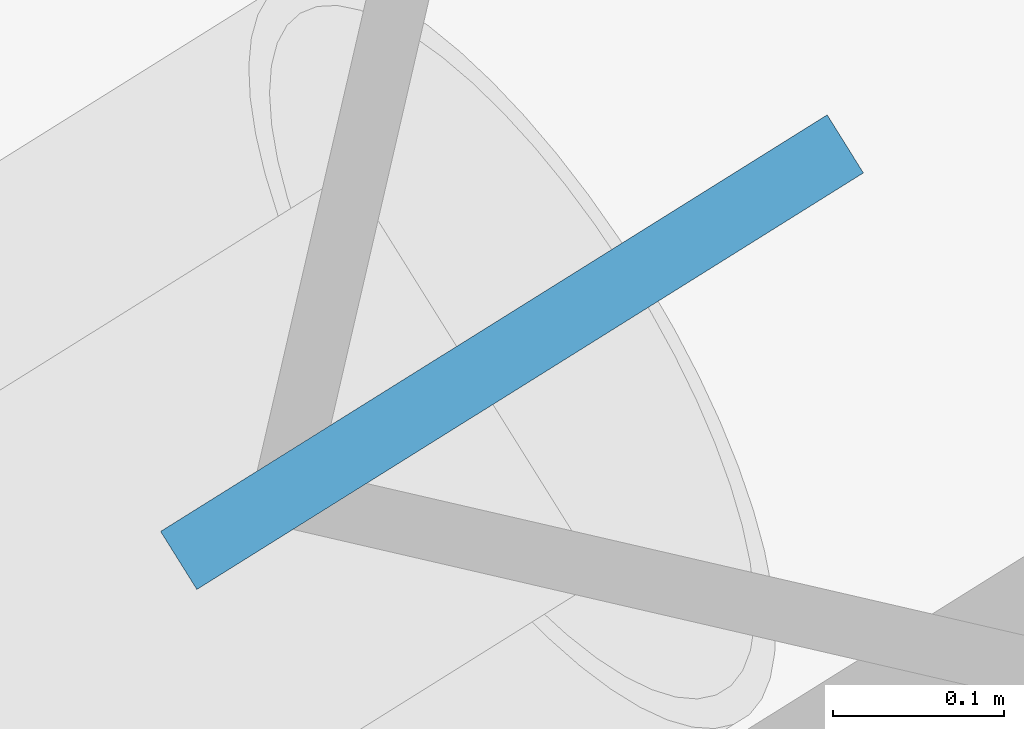
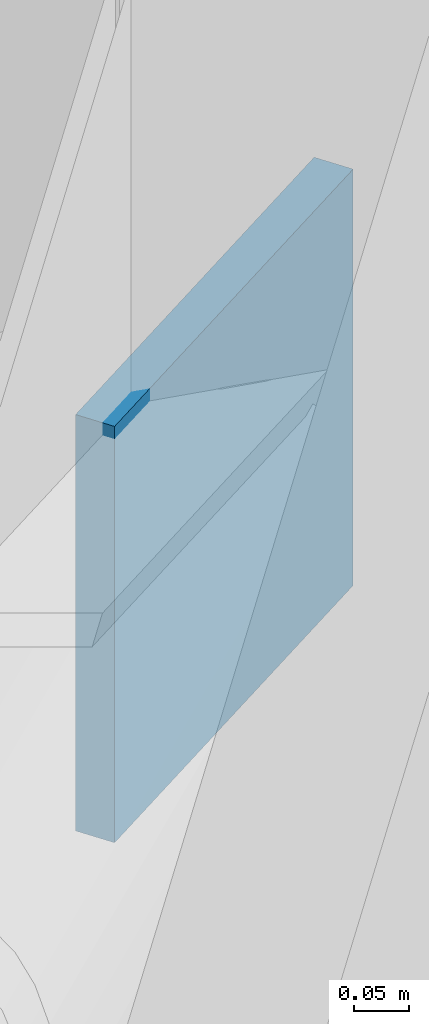
# One storey, part 15 of 18: 1 discrete accessory.
"""IFC4 building model written with IfcOpenShell, lengths in metres."""

from ifc_helpers import new_model, si_unit, direction, frame, origin, origin_2d, place, context, subcontext, project, spatial, rectangle, extrude, material, type_object, element, save


model = new_model("IFC4")

# Units and contexts
model_context = context("Model", 3, precision=1e-05, world=origin(), true_north=direction((0.0, 1.0)))
body_context = subcontext(model_context, "Body", "Model", "MODEL_VIEW")
ifc_project = project(units=[si_unit("LENGTHUNIT", "METRE"), si_unit("AREAUNIT", "SQUARE_METRE"), si_unit("VOLUMEUNIT", "CUBIC_METRE"), si_unit("PLANEANGLEUNIT", "RADIAN"), si_unit("MASSUNIT", "GRAM", prefix="KILO")], contexts=[model_context])

# Site, building, storey
site_placement = place(None, origin())
site = spatial("IfcSite", under=ifc_project, at=site_placement, CompositionType="ELEMENT")
building_placement = place(site_placement, origin())
building = spatial("IfcBuilding", under=site, at=building_placement, Name="Tavrogorsk Clinical Tower", CompositionType="ELEMENT")
storey_placement = place(building_placement, frame((0.0, 0.0, 47.39990234375)))
storey = spatial("IfcBuildingStorey", under=building, at=storey_placement, Name="L09", CompositionType="ELEMENT", Elevation=47.39990234375)

# Discrete accessory
ifc_material = material(Name="Structural steel S440", Category="steel")
discrete_accessory_type = type_object("IfcDiscreteAccessoryType", Name="GussetPlateBracket_25", PredefinedType="BRACKET", material=ifc_material)
discrete_accessory_placement = place(storey_placement, frame((-30.364013671875, 29.9541015625, 2.667724609375), z_axis=(0.0, 0.0, 1.0), x_axis=(0.848048096156, 0.529919264233, 0.0)))
element("IfcDiscreteAccessory", 1, at=discrete_accessory_placement, inside=storey, type_object=discrete_accessory_type, Name="L09 Brace Gusset Plate EXOCRN-L09-3-B", PredefinedType="BRACKET", context=body_context, shape_type="SweptSolid", body=[
    extrude(rectangle(XDim=0.4599609375, YDim=0.0400390625, at=origin_2d()), origin(), (0.0, 0.0, 1.0), 0.4599609375),
])

save(model, "model.ifc")
